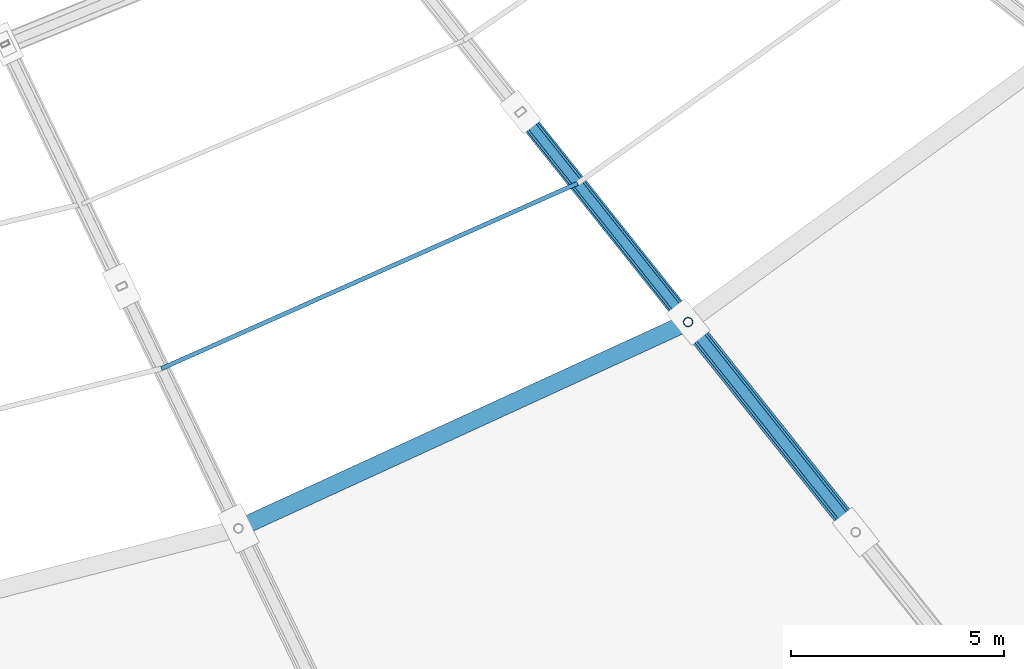
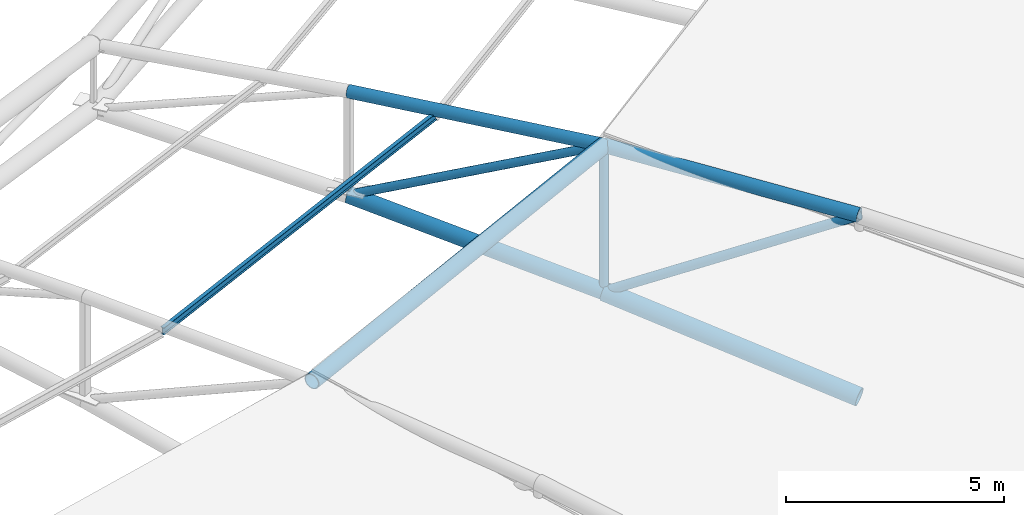
# One storey, part 26 of 108: 9 members.
"""IFC4 building model written with IfcOpenShell, lengths in metres."""

from ifc_helpers import new_model, si_unit, direction, frame, origin, origin_2d, place, context, subcontext, project, spatial, hollow_circle, i_section, extrude, material, material_profile, profile_set, type_object, element, save


model = new_model("IFC4")

# Units and contexts
model_context = context("Model", 3, precision=1e-05, world=origin(), true_north=direction((0.0, 1.0)))
body_context = subcontext(model_context, "Body", "Model", "MODEL_VIEW")
ifc_project = project(units=[si_unit("LENGTHUNIT", "METRE"), si_unit("AREAUNIT", "SQUARE_METRE"), si_unit("VOLUMEUNIT", "CUBIC_METRE"), si_unit("PLANEANGLEUNIT", "RADIAN"), si_unit("MASSUNIT", "GRAM", prefix="KILO")], contexts=[model_context])

# Site, building, storey
site_placement = place(None, origin())
site = spatial("IfcSite", under=ifc_project, at=site_placement, CompositionType="ELEMENT")
building_placement = place(site_placement, origin())
building = spatial("IfcBuilding", under=site, at=building_placement, Name="Zevraka Park Crest Stadium", CompositionType="ELEMENT")
storey_placement = place(building_placement, frame((0.0, 0.0, 29.39990234375)))
storey = spatial("IfcBuildingStorey", under=building, at=storey_placement, Name="RF", CompositionType="ELEMENT", Elevation=29.39990234375)

# Members
ifc_material_1 = material(Name="Steel S355", Category="steel")
ifc_material_profile_1 = material_profile(ifc_material_1, i_section(OverallWidth=0.10009765625, OverallDepth=0.199951171875, WebThickness=0.005615234375, FlangeThickness=0.008544921875, at=origin_2d()), Name="IPE 200")
ifc_profile_set_1 = profile_set([ifc_material_profile_1], Name="Steel S355")
member_type_1 = type_object("IfcMemberType", Name="PR03", PredefinedType="PURLIN", material=ifc_profile_set_1)
member_1_placement = place(storey_placement, frame((134.320068359375, 59.1669921875, 9.173095703125), z_axis=(0.913569046429, 0.406683657658, 0.0), x_axis=(-0.406683657658, 0.913569046429, 0.0)))
element("IfcMember", 1, at=member_1_placement, inside=storey, type_object=member_type_1, Name="Canopy Roof Purlin PR03 INNER-24-1", PredefinedType="PURLIN", context=body_context, shape_type="SweptSolid", body=[
    extrude(i_section(OverallWidth=0.10009765625, OverallDepth=0.199951171875, WebThickness=0.005615234375, FlangeThickness=0.008544921875, at=origin_2d()), origin(), (0.0, 0.0, 1.0), 10.6767578125),
])
ifc_material_2 = material(Name="Steel S355", Category="steel")
ifc_material_profile_2 = material_profile(ifc_material_2, hollow_circle(Radius=0.228515625, WallThickness=0.02490234375, at=origin_2d()), Name="CHS 457.0x25")
ifc_profile_set_2 = profile_set([ifc_material_profile_2], Name="Steel S355")
member_type_2 = type_object("IfcMemberType", Name="TC02", PredefinedType="CHORD", material=ifc_profile_set_2)
member_2_placement = place(storey_placement, frame((150.593994140625, 55.33203125, 3.9501953125), z_axis=(-0.609616801218, 0.764512287785, 0.209495387776), x_axis=(-0.781862092926, -0.623451415626, 0.0)))
element("IfcMember", 2, at=member_2_placement, inside=storey, type_object=member_type_2, Name="Roof Truss Bottom Chord TC02 T25-5", PredefinedType="CHORD", context=body_context, shape_type="SweptSolid", body=[
    extrude(hollow_circle(Radius=0.228515625, WallThickness=0.02490234375, at=origin_2d()), origin(), (0.0, 0.0, 1.0), 6.443359375),
])
ifc_material_3 = material(Name="Steel S355", Category="steel")
ifc_material_profile_3 = material_profile(ifc_material_3, hollow_circle(Radius=0.203125, WallThickness=0.02001953125, at=origin_2d()), Name="CHS 406.4x20")
ifc_profile_set_3 = profile_set([ifc_material_profile_3], Name="Steel S355")
member_type_3 = type_object("IfcMemberType", Name="TC03", PredefinedType="CHORD", material=ifc_profile_set_3)
member_3_placement = place(storey_placement, frame((146.666015625, 60.258056640625, 5.300048828125), z_axis=(-0.614231681473, 0.770147038993, 0.172026102102), x_axis=(-0.781801834506, -0.623526977414, 0.0)))
element("IfcMember", 3, at=member_3_placement, inside=storey, type_object=member_type_3, Name="Roof Truss Bottom Chord TC03 T25-6", PredefinedType="CHORD", context=body_context, shape_type="SweptSolid", body=[
    extrude(hollow_circle(Radius=0.203125, WallThickness=0.02001953125, at=origin_2d()), origin(), (0.0, 0.0, 1.0), 6.39501953125),
])
member_4_placement = place(storey_placement, frame((136.1240234375, 55.4208984375, 9.400146484375), z_axis=(0.908888015597, 0.417040255976, 0.0), x_axis=(-0.417040255976, 0.908888015597, 0.0)))
element("IfcMember", 4, at=member_4_placement, inside=storey, type_object=member_type_3, Name="Roof Canopy Arch Crown Ring Chord TC03 24", PredefinedType="CHORD", context=body_context, shape_type="SweptSolid", body=[
    extrude(hollow_circle(Radius=0.203125, WallThickness=0.02001953125, at=origin_2d()), origin(), (0.0, 0.0, 1.0), 11.598876953125),
])
ifc_material_4 = material(Name="Steel S355", Category="steel")
ifc_material_profile_4 = material_profile(ifc_material_4, hollow_circle(Radius=0.161865234375, WallThickness=0.01611328125, at=origin_2d()), Name="CHS 323.9x16")
ifc_profile_set_4 = profile_set([ifc_material_profile_4], Name="Steel S355")
member_type_4 = type_object("IfcMemberType", Name="TC04", PredefinedType="CHORD", material=ifc_profile_set_4)
member_5_placement = place(storey_placement, frame((146.666015625, 60.258056640625, 9.400146484375), z_axis=(-0.623448279516, 0.781703160089, -0.015887488011), x_axis=(-0.781801834506, -0.623526977414, 0.0)))
element("IfcMember", 5, at=member_5_placement, inside=storey, type_object=member_type_4, Name="Roof Truss Top Chord TC04 T25-6", PredefinedType="CHORD", context=body_context, shape_type="SweptSolid", body=[
    extrude(hollow_circle(Radius=0.161865234375, WallThickness=0.01611328125, at=origin_2d()), origin(), (0.0, 0.0, 1.0), 6.30029296875),
])
ifc_material_5 = material(Name="Steel S355", Category="steel")
ifc_material_profile_5 = material_profile(ifc_material_5, hollow_circle(Radius=0.177734375, WallThickness=0.01611328125, at=origin_2d()), Name="CHS 355.6x16")
ifc_profile_set_5 = profile_set([ifc_material_profile_5], Name="Steel S355")
member_type_5 = type_object("IfcMemberType", Name="TC05", PredefinedType="CHORD", material=ifc_profile_set_5)
member_6_placement = place(storey_placement, frame((150.593994140625, 55.33203125, 9.050048828125), z_axis=(-0.622491100613, 0.780657774695, 0.055482145458), x_axis=(-0.781862092926, -0.623451415626, 0.0)))
element("IfcMember", 6, at=member_6_placement, inside=storey, type_object=member_type_5, Name="Roof Truss Top Chord TC05 T25-5", PredefinedType="CHORD", context=body_context, shape_type="SweptSolid", body=[
    extrude(hollow_circle(Radius=0.177734375, WallThickness=0.01611328125, at=origin_2d()), origin(), (0.0, 0.0, 1.0), 6.31005859375),
])
ifc_material_6 = material(Name="Steel S355", Category="steel")
ifc_material_profile_6 = material_profile(ifc_material_6, hollow_circle(Radius=0.109619140625, WallThickness=0.010009765625, at=origin_2d()), Name="CHS 219.1x10")
ifc_profile_set_6 = profile_set([ifc_material_profile_6], Name="Steel S355")
member_type_6 = type_object("IfcMemberType", Name="WB02", PredefinedType="BRACE", material=ifc_profile_set_6)
member_7_placement = place(storey_placement, frame((146.666015625, 60.258056640625, 5.300048828125), z_axis=(0.0, 0.0, 1.0), x_axis=(-0.623470308046, 0.781847027868, 0.0)))
element("IfcMember", 7, at=member_7_placement, inside=storey, type_object=member_type_6, Name="Roof Truss Web Post WB02 T25-5", PredefinedType="BRACE", context=body_context, shape_type="SweptSolid", body=[
    extrude(hollow_circle(Radius=0.109619140625, WallThickness=0.010009765625, at=origin_2d()), origin(), (0.0, 0.0, 1.0), 4.10009765625),
])
member_8_placement = place(storey_placement, frame((142.738037109375, 65.18310546875, 6.400146484375), z_axis=(0.562951494034, -0.705849990002, 0.429955122052), x_axis=(0.781801834506, 0.623526977414, 0.0)))
element("IfcMember", 8, at=member_8_placement, inside=storey, type_object=member_type_6, Name="Roof Truss Web Diagonal WB02 T25-6", PredefinedType="BRACE", context=body_context, shape_type="SweptSolid", body=[
    extrude(hollow_circle(Radius=0.109619140625, WallThickness=0.010009765625, at=origin_2d()), origin(), (0.0, 0.0, 1.0), 6.9775390625),
])
ifc_material_7 = material(Name="Steel S355", Category="steel")
ifc_material_profile_7 = material_profile(ifc_material_7, hollow_circle(Radius=0.122314453125, WallThickness=0.012451171875, at=origin_2d()), Name="CHS 244.5x12.5")
ifc_profile_set_7 = profile_set([ifc_material_profile_7], Name="Steel S355")
member_type_7 = type_object("IfcMemberType", Name="WB07", PredefinedType="BRACE", material=ifc_profile_set_7)
member_9_placement = place(storey_placement, frame((146.666015625, 60.258056640625, 5.300048828125), z_axis=(0.535735735861, -0.671859030547, 0.511461302929), x_axis=(0.781862092926, 0.623451415626, 0.0)))
element("IfcMember", 9, at=member_9_placement, inside=storey, type_object=member_type_7, Name="Roof Truss Web Diagonal WB07 T25-5", PredefinedType="BRACE", context=body_context, shape_type="SweptSolid", body=[
    extrude(hollow_circle(Radius=0.122314453125, WallThickness=0.012451171875, at=origin_2d()), origin(), (0.0, 0.0, 1.0), 7.33203125),
])

save(model, "model.ifc")
